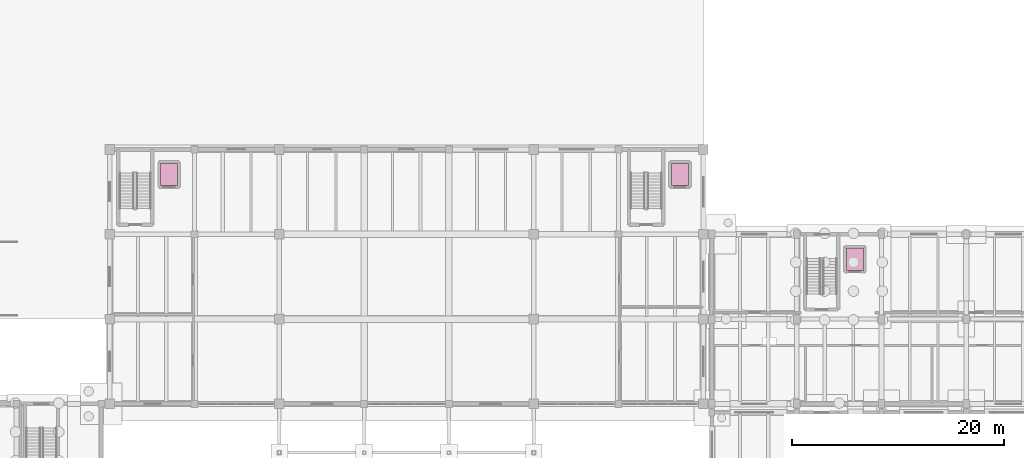
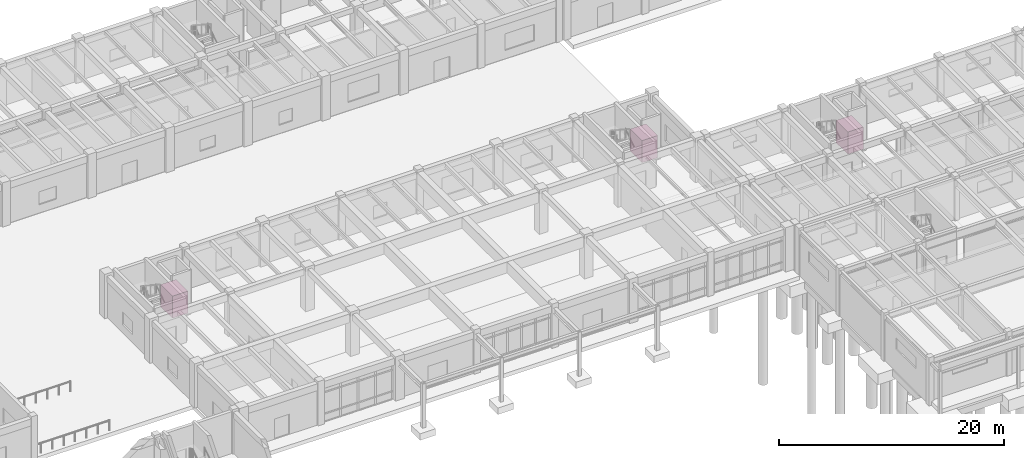
# One storey, part 64 of 64: 3 transport elements.
"""IFC4 building model written with IfcOpenShell, lengths in metres."""

from ifc_helpers import new_model, si_unit, direction, frame, origin, origin_2d, place, context, subcontext, project, spatial, rectangle, extrude, material, type_object, element, save


model = new_model("IFC4")

# Units and contexts
model_context = context("Model", 3, precision=1e-05, world=origin(), true_north=direction((0.0, 1.0)))
body_context = subcontext(model_context, "Body", "Model", "MODEL_VIEW")
ifc_project = project(units=[si_unit("LENGTHUNIT", "METRE"), si_unit("AREAUNIT", "SQUARE_METRE"), si_unit("VOLUMEUNIT", "CUBIC_METRE"), si_unit("PLANEANGLEUNIT", "RADIAN"), si_unit("MASSUNIT", "GRAM", prefix="KILO")], contexts=[model_context])

# Site, building, storey
site_placement = place(None, origin())
site = spatial("IfcSite", under=ifc_project, at=site_placement, CompositionType="ELEMENT")
building_placement = place(site_placement, origin())
building = spatial("IfcBuilding", under=site, at=building_placement, Name="Tlaxcora Railside Police Headquarters", CompositionType="ELEMENT")
storey_placement = place(building_placement, origin())
storey = spatial("IfcBuildingStorey", under=building, at=storey_placement, Name="L00", CompositionType="ELEMENT", Elevation=0.0)

# Transport elements
ifc_material = material(Name="Steel ASTM A992 Grade 50", Category="steel")
transport_element_type = type_object("IfcTransportElementType", Name="Passenger Lift Car LF-PAX", PredefinedType="ELEVATOR", material=ifc_material)
for number, where, z_axis, x_axis, name in (
    (1, (51.60009765625, 57.64990234375, 0.0), (0.0, 0.0, 1.0), (1.0, 0.0, 0.0), "Lift PL-04 car"),
    (2, (99.800048828125, 57.64990234375, 0.0), (0.0, 0.0, 1.0), (1.0, 0.0, 0.0), "Lift PL-05 car"),
    (3, (116.300048828125, 49.64990234375, 0.0), (0.0, 0.0, 1.0), (1.0, 0.0, 0.0), "Lift CL-01 car"),
):
    element("IfcTransportElement", number, at=place(storey_placement, frame(where, z_axis=z_axis, x_axis=x_axis)), inside=storey, type_object=transport_element_type, Name=name, PredefinedType="ELEVATOR", context=body_context, shape_type="SweptSolid", body=[
        extrude(rectangle(XDim=1.60009765625, YDim=2.10009765625, at=origin_2d()), origin(), (0.0, 0.0, 1.0), 2.39990234375),
    ])

save(model, "model.ifc")
